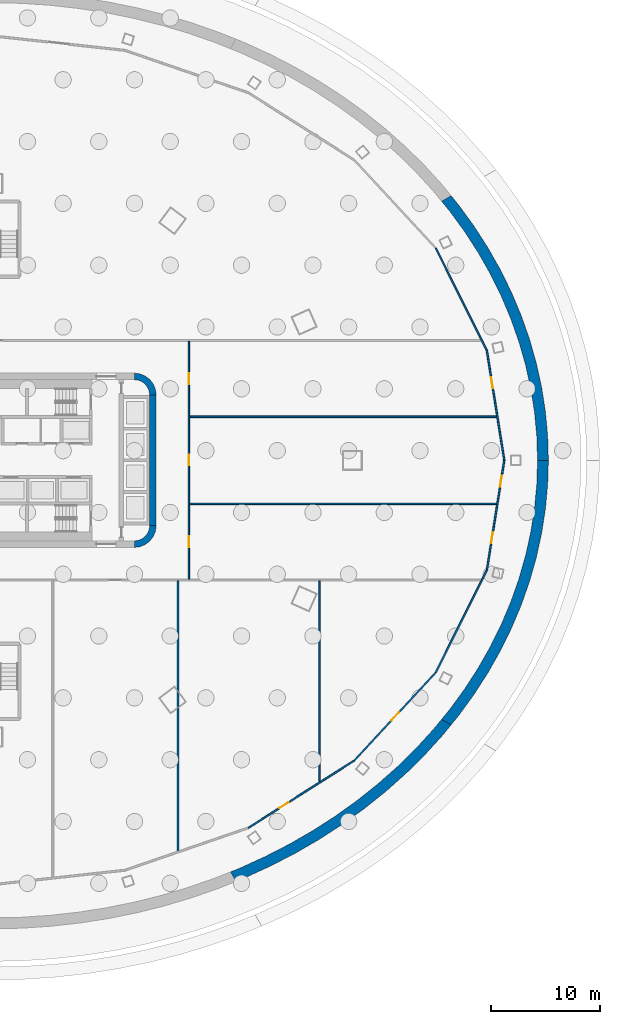
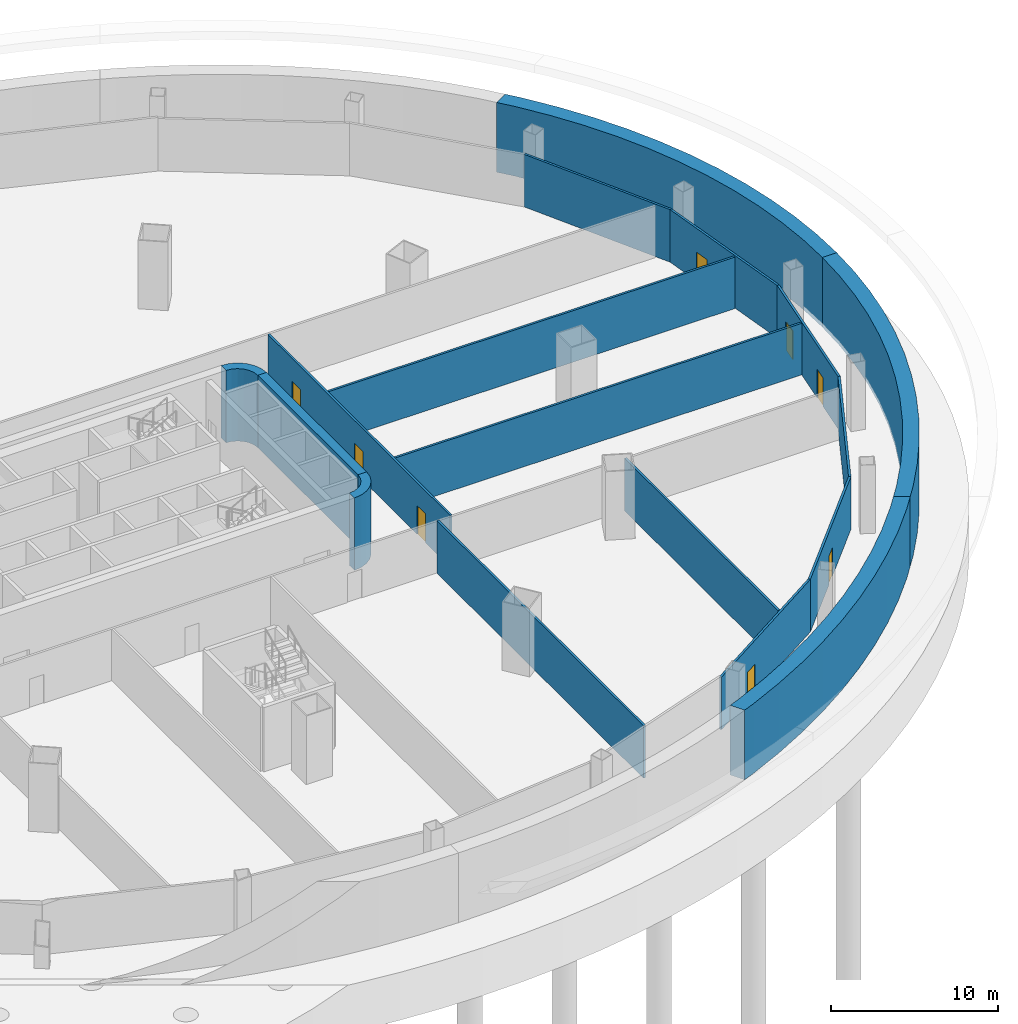
# One storey, part 10 of 19: 17 walls, 8 doors, 8 openings.
"""IFC4 building model written with IfcOpenShell, lengths in metres."""

from ifc_helpers import new_model, si_unit, direction, frame, frame_2d, origin, place, context, subcontext, project, spatial, polyline, rectangle, outline, extrude, material, layer, layer_set, type_object, element, fill, save


model = new_model("IFC4")

# Units and contexts
model_context = context("Model", 3, precision=1e-05, world=origin(), true_north=direction((0.0, 1.0)))
body_context = subcontext(model_context, "Body", "Model", "MODEL_VIEW")
ifc_project = project(units=[si_unit("LENGTHUNIT", "METRE"), si_unit("AREAUNIT", "SQUARE_METRE"), si_unit("VOLUMEUNIT", "CUBIC_METRE"), si_unit("PLANEANGLEUNIT", "RADIAN"), si_unit("MASSUNIT", "GRAM", prefix="KILO")], contexts=[model_context])

# Site, building, storey
site_placement = place(None, origin())
site = spatial("IfcSite", under=ifc_project, at=site_placement, CompositionType="ELEMENT")
building_placement = place(site_placement, origin())
building = spatial("IfcBuilding", under=site, at=building_placement, Name="Sahrelin Media Tower", CompositionType="ELEMENT")
storey_placement = place(building_placement, frame((0.0, 0.0, -5.0)))
storey = spatial("IfcBuildingStorey", under=building, at=storey_placement, Name="B1", CompositionType="ELEMENT", Elevation=-5.0)

# Walls
ifc_material_1 = material(Name="Concrete C50/60", Category="concrete")
ifc_layer_1 = layer(ifc_material_1, 1.0)
ifc_layer_set_1 = layer_set([ifc_layer_1], Name="Basement retaining wall")
wall_type_1 = type_object("IfcWallType", Name="Basement retaining wall", PredefinedType="SOLIDWALL", material=ifc_layer_set_1)
placement = place(storey_placement, frame((0.0, 0.0, -0.300048828125)))
element("IfcWall", 1, at=placement, inside=storey, type_object=wall_type_1, Name="Basement retaining wall 1", PredefinedType="SOLIDWALL", context=body_context, shape_type="SweptSolid", body=[
    extrude(outline(polyline([(42.0654296875, 24.28662109375), (41.19140625, 23.781982421875), (41.93359375, 22.874755859375), (43.30126953125, 21.0), (44.55029296875, 19.067626953125), (45.67724609375, 17.0830078125), (46.678955078125, 15.051513671875), (47.552734375, 12.978759765625), (48.29638671875, 10.870361328125), (48.907470703125, 8.732421875), (49.384521484375, 6.5703125), (49.72607421875, 4.39013671875), (49.931396484375, 2.197998046875), (50.0, 0.0), (51.0, 0.0), (50.93017578125, 2.25048828125), (50.720703125, 4.49462890625), (50.3720703125, 6.726806640625), (49.885498046875, 8.940185546875), (49.26220703125, 11.129150390625), (48.50390625, 13.28759765625), (47.612548828125, 15.409912109375), (46.5908203125, 17.48974609375), (45.44140625, 19.521484375), (44.167236328125, 21.5), (42.772216796875, 23.41943359375), (42.0654296875, 24.28662109375)])), origin(), (0.0, 0.0, 1.0), 5.10009765625),
])
element("IfcWall", 2, at=placement, inside=storey, type_object=wall_type_1, Name="Basement retaining wall 11", PredefinedType="SOLIDWALL", context=body_context, shape_type="SweptSolid", body=[
    extrude(outline(polyline([(42.0654296875, -24.28662109375), (41.19140625, -23.781982421875), (40.45068359375, -24.68701171875), (38.857421875, -26.431396484375), (37.1572265625, -28.103515625), (35.355224609375, -29.698486328125), (33.45654296875, -31.212158203125), (31.466064453125, -32.64013671875), (29.389404296875, -33.978759765625), (27.23193359375, -35.22412109375), (25.0, -36.373046875), (22.699462890625, -37.42236328125), (21.811279296875, -37.7783203125), (22.31494140625, -38.650634765625), (23.153564453125, -38.313232421875), (25.5, -37.239013671875), (27.776611328125, -36.062744140625), (29.97705078125, -34.78759765625), (32.09521484375, -33.417236328125), (34.125732421875, -31.955078125), (36.0625, -30.405517578125), (37.900390625, -28.772705078125), (39.634521484375, -27.060791015625), (41.260009765625, -25.27490234375), (42.0654296875, -24.28662109375)])), origin(), (0.0, 0.0, 1.0), 5.10009765625),
])
element("IfcWall", 3, at=placement, inside=storey, type_object=wall_type_1, Name="Basement retaining wall 12", PredefinedType="SOLIDWALL", context=body_context, shape_type="SweptSolid", body=[
    extrude(outline(polyline([(50.93017578125, -2.25048828125), (51.0, 0.0), (50.0, 0.0), (49.931396484375, -2.197998046875), (49.72607421875, -4.39013671875), (49.384521484375, -6.5703125), (48.907470703125, -8.732421875), (48.29638671875, -10.870361328125), (47.552734375, -12.978759765625), (46.678955078125, -15.051513671875), (45.67724609375, -17.0830078125), (44.55029296875, -19.067626953125), (43.30126953125, -21.0), (41.93359375, -22.874755859375), (41.19140625, -23.781982421875), (42.0654296875, -24.28662109375), (42.772216796875, -23.41943359375), (44.167236328125, -21.5), (45.44140625, -19.521484375), (46.5908203125, -17.48974609375), (47.612548828125, -15.409912109375), (48.50390625, -13.28759765625), (49.26220703125, -11.129150390625), (49.885498046875, -8.940185546875), (50.3720703125, -6.726806640625), (50.720703125, -4.49462890625), (50.93017578125, -2.25048828125)])), origin(), (0.0, 0.0, 1.0), 5.10009765625),
])
ifc_material_2 = material(Name="Concrete C60/75", Category="concrete")
ifc_layer_2 = layer(ifc_material_2, 0.60009765625)
ifc_layer_set_2 = layer_set([ifc_layer_2], Name="Core wall 600")
wall_type_2 = type_object("IfcWallType", Name="Core wall 600", PredefinedType="SHEAR", material=ifc_layer_set_2)
wall_4_placement = place(storey_placement, frame((14.699951171875, -6.0, -0.300048828125), z_axis=(0.0, 0.0, 1.0), x_axis=(0.0, 1.0, 0.0)))
element("IfcWall", 4, at=wall_4_placement, inside=storey, type_object=wall_type_2, Name="Core wall E B1", PredefinedType="SHEAR", context=body_context, shape_type="SweptSolid", body=[
    extrude(rectangle(XDim=12.0, YDim=0.60009765625, at=frame_2d((6.0, 0.0))), origin(), (0.0, 0.0, 1.0), 5.300048828125),
])
element("IfcWall", 5, at=placement, inside=storey, type_object=wall_type_2, Name="Core wall corner NE B1", PredefinedType="SHEAR", context=body_context, shape_type="SweptSolid", body=[
    extrude(outline(polyline([(13.0, 8.0), (13.0, 7.394775390625), (13.361083984375, 7.347412109375), (13.697509765625, 7.2080078125), (13.986328125, 6.986328125), (14.2080078125, 6.697509765625), (14.347412109375, 6.361083984375), (14.394775390625, 6.0), (15.0, 6.0), (14.931884765625, 6.517578125), (14.732177734375, 7.0), (14.414306640625, 7.414306640625), (14.0, 7.732177734375), (13.517578125, 7.931884765625), (13.0, 8.0)])), origin(), (0.0, 0.0, 1.0), 5.300048828125),
])
element("IfcWall", 6, at=placement, inside=storey, type_object=wall_type_2, Name="Core wall corner SE B1", PredefinedType="SHEAR", context=body_context, shape_type="SweptSolid", body=[
    extrude(outline(polyline([(15.0, -6.0), (14.394775390625, -6.0), (14.347412109375, -6.361083984375), (14.2080078125, -6.697509765625), (13.986328125, -6.986328125), (13.697509765625, -7.2080078125), (13.361083984375, -7.347412109375), (13.0, -7.394775390625), (13.0, -8.0), (13.517578125, -7.931884765625), (14.0, -7.732177734375), (14.414306640625, -7.414306640625), (14.732177734375, -7.0), (14.931884765625, -6.517578125), (15.0, -6.0)])), origin(), (0.0, 0.0, 1.0), 5.300048828125),
])

# Wall, opening, door
ifc_material_3 = material(Name="Fire-rated gypsum board partition")
ifc_layer_3 = layer(ifc_material_3, 0.14990234375)
ifc_layer_set_3 = layer_set([ifc_layer_3], Name="Fire-rated partition 150")
wall_type_3 = type_object("IfcWallType", Name="Fire-rated partition 150", PredefinedType="PARTITIONING", material=ifc_layer_set_3)
wall_7_placement = place(storey_placement, frame((46.949951171875, 0.0, 0.0), z_axis=(0.0, 0.0, 1.0), x_axis=(-0.156737547616, 0.98764028936, 0.0)))
wall_7 = element("IfcWall", 7, at=wall_7_placement, inside=storey, type_object=wall_type_3, Name="Wall", PredefinedType="PARTITIONING", context=body_context, shape_type="SweptSolid", body=[
    extrude(rectangle(XDim=10.207275390625, YDim=0.14990234375, at=frame_2d((5.103515625, 0.0))), origin(), (0.0, 0.0, 1.0), 3.84521484375),
])
opening_1_placement = place(wall_7_placement, frame((6.7041015625, 0.0, 0.0)))
opening_1 = element("IfcOpeningElement", 8, at=opening_1_placement, cuts=wall_7, Name="Opening B1-D34", PredefinedType="OPENING", context=body_context, shape_type="SweptSolid", body=[
    extrude(rectangle(XDim=1.0, YDim=2.10009765625, at=frame_2d((0.5, 1.050048828125))), frame((0.0, 0.074951171875, 0.0), z_axis=(0.0, -1.0, 0.0), x_axis=(1.0, 0.0, 0.0)), (0.0, 0.0, 1.0), 0.14990234375),
])
ifc_material_4 = material(Name="Steel fire door leaf", Category="steel")
door_type = type_object("IfcDoorType", Name="Fire door 1000 x 2100 EI 60", OperationType="NOTDEFINED", PredefinedType="DOOR", material=ifc_material_4)
door_1_placement = place(opening_1_placement, origin())
door_1 = element("IfcDoor", 9, at=door_1_placement, inside=storey, type_object=door_type, Name="Fire door", OperationType="SINGLE_SWING_RIGHT", OverallHeight=2.10009765625, OverallWidth=1.0, PredefinedType="DOOR", context=body_context, shape_type="SweptSolid", body=[
    extrude(rectangle(XDim=1.0, YDim=2.10009765625, at=frame_2d((0.5, 1.050048828125))), frame((0.0, 0.02490234375, 0.0), z_axis=(0.0, -1.0, 0.0), x_axis=(1.0, 0.0, 0.0)), (0.0, 0.0, 1.0), 0.050048828125),
])
fill(opening_1, door_1)

# Wall
wall_8_placement = place(storey_placement, frame((45.35009765625, 10.0810546875, 0.0), z_axis=(0.0, 0.0, 1.0), x_axis=(-0.446692676619, 0.894687460879, 0.0)))
element("IfcWall", 10, at=wall_8_placement, inside=storey, type_object=wall_type_3, Name="Wall", PredefinedType="PARTITIONING", context=body_context, shape_type="SweptSolid", body=[
    extrude(rectangle(XDim=10.499755859375, YDim=0.14990234375, at=frame_2d((5.25, 0.0))), origin(), (0.0, 0.0, 1.0), 3.84521484375),
])

# Wall, opening, door
wall_9_placement = place(storey_placement, frame((23.47509765625, -33.731689453125, 0.0), z_axis=(0.0, 0.0, 1.0), x_axis=(0.84357600759, 0.537009794527, 0.0)))
wall_9 = element("IfcWall", 11, at=wall_9_placement, inside=storey, type_object=wall_type_3, Name="Wall", PredefinedType="PARTITIONING", context=body_context, shape_type="SweptSolid", body=[
    extrude(rectangle(XDim=11.526611328125, YDim=0.14990234375, at=frame_2d((5.76318359375, 0.0))), origin(), (0.0, 0.0, 1.0), 3.84521484375),
])
opening_2_placement = place(wall_9_placement, frame((3.35009765625, 0.0, 0.0)))
opening_2 = element("IfcOpeningElement", 12, at=opening_2_placement, cuts=wall_9, Name="Opening B1-D27", PredefinedType="OPENING", context=body_context, shape_type="SweptSolid", body=[
    extrude(rectangle(XDim=1.0, YDim=2.10009765625, at=frame_2d((0.5, 1.050048828125))), frame((0.0, 0.074951171875, 0.0), z_axis=(0.0, -1.0, 0.0), x_axis=(1.0, 0.0, 0.0)), (0.0, 0.0, 1.0), 0.14990234375),
])
door_2_placement = place(opening_2_placement, origin())
door_2 = element("IfcDoor", 13, at=door_2_placement, inside=storey, type_object=door_type, Name="Fire door", OperationType="SINGLE_SWING_LEFT", OverallHeight=2.10009765625, OverallWidth=1.0, PredefinedType="DOOR", context=body_context, shape_type="SweptSolid", body=[
    extrude(rectangle(XDim=1.0, YDim=2.10009765625, at=frame_2d((0.5, 1.050048828125))), frame((0.0, 0.02490234375, 0.0), z_axis=(0.0, -1.0, 0.0), x_axis=(1.0, 0.0, 0.0)), (0.0, 0.0, 1.0), 0.050048828125),
])
fill(opening_2, door_2)

wall_10_placement = place(storey_placement, frame((33.19873046875, -27.541748046875, 0.0), z_axis=(0.0, 0.0, 1.0), x_axis=(0.679018932137, 0.734120759685, 0.0)))
wall_10 = element("IfcWall", 14, at=wall_10_placement, inside=storey, type_object=wall_type_3, Name="Wall", PredefinedType="PARTITIONING", context=body_context, shape_type="SweptSolid", body=[
    extrude(rectangle(XDim=10.98828125, YDim=0.14990234375, at=frame_2d((5.494140625, 0.0))), origin(), (0.0, 0.0, 1.0), 3.84521484375),
])
opening_3_placement = place(wall_10_placement, frame((4.993896484375, 0.0, 0.0)))
opening_3 = element("IfcOpeningElement", 15, at=opening_3_placement, cuts=wall_10, Name="Opening B1-D28", PredefinedType="OPENING", context=body_context, shape_type="SweptSolid", body=[
    extrude(rectangle(XDim=1.0, YDim=2.10009765625, at=frame_2d((0.5, 1.050048828125))), frame((0.0, 0.074951171875, 0.0), z_axis=(0.0, -1.0, 0.0), x_axis=(1.0, 0.0, 0.0)), (0.0, 0.0, 1.0), 0.14990234375),
])
door_3_placement = place(opening_3_placement, origin())
door_3 = element("IfcDoor", 16, at=door_3_placement, inside=storey, type_object=door_type, Name="Fire door", OperationType="SINGLE_SWING_LEFT", OverallHeight=2.10009765625, OverallWidth=1.0, PredefinedType="DOOR", context=body_context, shape_type="SweptSolid", body=[
    extrude(rectangle(XDim=1.0, YDim=2.10009765625, at=frame_2d((0.5, 1.050048828125))), frame((0.0, 0.02490234375, 0.0), z_axis=(0.0, -1.0, 0.0), x_axis=(1.0, 0.0, 0.0)), (0.0, 0.0, 1.0), 0.050048828125),
])
fill(opening_3, door_3)

# Wall
wall_11_placement = place(storey_placement, frame((40.659912109375, -19.47509765625, 0.0), z_axis=(0.0, 0.0, 1.0), x_axis=(0.446692676619, 0.894687460879, 0.0)))
element("IfcWall", 17, at=wall_11_placement, inside=storey, type_object=wall_type_3, Name="Wall", PredefinedType="PARTITIONING", context=body_context, shape_type="SweptSolid", body=[
    extrude(rectangle(XDim=10.499755859375, YDim=0.14990234375, at=frame_2d((5.25, 0.0))), origin(), (0.0, 0.0, 1.0), 3.84521484375),
])

# Wall, openings, doors
wall_12_placement = place(storey_placement, frame((45.35009765625, -10.0810546875, 0.0), z_axis=(0.0, 0.0, 1.0), x_axis=(0.156737547616, 0.98764028936, 0.0)))
wall_12 = element("IfcWall", 18, at=wall_12_placement, inside=storey, type_object=wall_type_3, Name="Wall", PredefinedType="PARTITIONING", context=body_context, shape_type="SweptSolid", body=[
    extrude(rectangle(XDim=10.207275390625, YDim=0.14990234375, at=frame_2d((5.103515625, 0.0))), origin(), (0.0, 0.0, 1.0), 3.84521484375),
])
opening_4_placement = place(wall_12_placement, frame((2.5, 0.0, 0.0)))
opening_4 = element("IfcOpeningElement", 19, at=opening_4_placement, cuts=wall_12, Name="Opening B1-D30", PredefinedType="OPENING", context=body_context, shape_type="SweptSolid", body=[
    extrude(rectangle(XDim=1.0, YDim=2.10009765625, at=frame_2d((0.5, 1.050048828125))), frame((0.0, 0.074951171875, 0.0), z_axis=(0.0, -1.0, 0.0), x_axis=(1.0, 0.0, 0.0)), (0.0, 0.0, 1.0), 0.14990234375),
])
opening_5_placement = place(wall_12_placement, frame((7.75390625, 0.0, 0.0)))
opening_5 = element("IfcOpeningElement", 20, at=opening_5_placement, cuts=wall_12, Name="Opening B1-D32", PredefinedType="OPENING", context=body_context, shape_type="SweptSolid", body=[
    extrude(rectangle(XDim=1.0, YDim=2.10009765625, at=frame_2d((0.5, 1.050048828125))), frame((0.0, 0.074951171875, 0.0), z_axis=(0.0, -1.0, 0.0), x_axis=(1.0, 0.0, 0.0)), (0.0, 0.0, 1.0), 0.14990234375),
])
door_4_placement = place(opening_4_placement, origin())
door_4 = element("IfcDoor", 21, at=door_4_placement, inside=storey, type_object=door_type, Name="Fire door", OperationType="SINGLE_SWING_LEFT", OverallHeight=2.10009765625, OverallWidth=1.0, PredefinedType="DOOR", context=body_context, shape_type="SweptSolid", body=[
    extrude(rectangle(XDim=1.0, YDim=2.10009765625, at=frame_2d((0.5, 1.050048828125))), frame((0.0, 0.02490234375, 0.0), z_axis=(0.0, -1.0, 0.0), x_axis=(1.0, 0.0, 0.0)), (0.0, 0.0, 1.0), 0.050048828125),
])
fill(opening_4, door_4)
door_5_placement = place(opening_5_placement, origin())
door_5 = element("IfcDoor", 22, at=door_5_placement, inside=storey, type_object=door_type, Name="Fire door", OperationType="SINGLE_SWING_RIGHT", OverallHeight=2.10009765625, OverallWidth=1.0, PredefinedType="DOOR", context=body_context, shape_type="SweptSolid", body=[
    extrude(rectangle(XDim=1.0, YDim=2.10009765625, at=frame_2d((0.5, 1.050048828125))), frame((0.0, 0.02490234375, 0.0), z_axis=(0.0, -1.0, 0.0), x_axis=(1.0, 0.0, 0.0)), (0.0, 0.0, 1.0), 0.050048828125),
])
fill(opening_5, door_5)

wall_13_placement = place(storey_placement, frame((18.0, -10.925048828125, 0.0), z_axis=(0.0, 0.0, 1.0), x_axis=(0.0, 1.0, 0.0)))
wall_13 = element("IfcWall", 23, at=wall_13_placement, inside=storey, type_object=wall_type_3, Name="Wall", PredefinedType="PARTITIONING", context=body_context, shape_type="SweptSolid", body=[
    extrude(rectangle(XDim=21.85009765625, YDim=0.14990234375, at=frame_2d((10.925048828125, 0.0))), origin(), (0.0, 0.0, 1.0), 3.777099609375),
])
opening_6_placement = place(wall_13_placement, frame((2.949951171875, 0.0, 0.0)))
opening_6 = element("IfcOpeningElement", 24, at=opening_6_placement, cuts=wall_13, Name="Opening B1-D29", PredefinedType="OPENING", context=body_context, shape_type="SweptSolid", body=[
    extrude(rectangle(XDim=1.0, YDim=2.10009765625, at=frame_2d((0.5, 1.050048828125))), frame((0.0, 0.074951171875, 0.0), z_axis=(0.0, -1.0, 0.0), x_axis=(1.0, 0.0, 0.0)), (0.0, 0.0, 1.0), 0.14990234375),
])
opening_7_placement = place(wall_13_placement, frame((10.449951171875, 0.0, 0.0)))
opening_7 = element("IfcOpeningElement", 25, at=opening_7_placement, cuts=wall_13, Name="Opening B1-D31", PredefinedType="OPENING", context=body_context, shape_type="SweptSolid", body=[
    extrude(rectangle(XDim=1.0, YDim=2.10009765625, at=frame_2d((0.5, 1.050048828125))), frame((0.0, 0.074951171875, 0.0), z_axis=(0.0, -1.0, 0.0), x_axis=(1.0, 0.0, 0.0)), (0.0, 0.0, 1.0), 0.14990234375),
])
opening_8_placement = place(wall_13_placement, frame((17.925048828125, 0.0, 0.0)))
opening_8 = element("IfcOpeningElement", 26, at=opening_8_placement, cuts=wall_13, Name="Opening B1-D33", PredefinedType="OPENING", context=body_context, shape_type="SweptSolid", body=[
    extrude(rectangle(XDim=1.0, YDim=2.10009765625, at=frame_2d((0.5, 1.050048828125))), frame((0.0, 0.074951171875, 0.0), z_axis=(0.0, -1.0, 0.0), x_axis=(1.0, 0.0, 0.0)), (0.0, 0.0, 1.0), 0.14990234375),
])
door_6_placement = place(opening_6_placement, origin())
door_6 = element("IfcDoor", 27, at=door_6_placement, inside=storey, type_object=door_type, Name="Fire door", OperationType="SINGLE_SWING_LEFT", OverallHeight=2.10009765625, OverallWidth=1.0, PredefinedType="DOOR", context=body_context, shape_type="SweptSolid", body=[
    extrude(rectangle(XDim=1.0, YDim=2.10009765625, at=frame_2d((0.5, 1.050048828125))), frame((0.0, 0.02490234375, 0.0), z_axis=(0.0, -1.0, 0.0), x_axis=(1.0, 0.0, 0.0)), (0.0, 0.0, 1.0), 0.050048828125),
])
fill(opening_6, door_6)
door_7_placement = place(opening_7_placement, origin())
door_7 = element("IfcDoor", 28, at=door_7_placement, inside=storey, type_object=door_type, Name="Fire door", OperationType="SINGLE_SWING_RIGHT", OverallHeight=2.10009765625, OverallWidth=1.0, PredefinedType="DOOR", context=body_context, shape_type="SweptSolid", body=[
    extrude(rectangle(XDim=1.0, YDim=2.10009765625, at=frame_2d((0.5, 1.050048828125))), frame((0.0, 0.02490234375, 0.0), z_axis=(0.0, -1.0, 0.0), x_axis=(1.0, 0.0, 0.0)), (0.0, 0.0, 1.0), 0.050048828125),
])
fill(opening_7, door_7)
door_8_placement = place(opening_8_placement, origin())
door_8 = element("IfcDoor", 29, at=door_8_placement, inside=storey, type_object=door_type, Name="Fire door", OperationType="SINGLE_SWING_RIGHT", OverallHeight=2.10009765625, OverallWidth=1.0, PredefinedType="DOOR", context=body_context, shape_type="SweptSolid", body=[
    extrude(rectangle(XDim=1.0, YDim=2.10009765625, at=frame_2d((0.5, 1.050048828125))), frame((0.0, 0.02490234375, 0.0), z_axis=(0.0, -1.0, 0.0), x_axis=(1.0, 0.0, 0.0)), (0.0, 0.0, 1.0), 0.050048828125),
])
fill(opening_8, door_8)

# Walls
wall_14_placement = place(storey_placement, frame((17.0, -11.074951171875, 0.0), z_axis=(0.0, 0.0, 1.0), x_axis=(0.0, -1.0, 0.0)))
element("IfcWall", 30, at=wall_14_placement, inside=storey, type_object=wall_type_3, Name="Wall", PredefinedType="PARTITIONING", context=body_context, shape_type="SweptSolid", body=[
    extrude(rectangle(XDim=24.776611328125, YDim=0.14990234375, at=frame_2d((12.38818359375, 0.0))), origin(), (0.0, 0.0, 1.0), 3.84521484375),
])
wall_15_placement = place(storey_placement, frame((30.0, -11.074951171875, 0.0), z_axis=(0.0, 0.0, 1.0), x_axis=(0.0, -1.0, 0.0)))
element("IfcWall", 31, at=wall_15_placement, inside=storey, type_object=wall_type_3, Name="Wall", PredefinedType="PARTITIONING", context=body_context, shape_type="SweptSolid", body=[
    extrude(rectangle(XDim=18.366455078125, YDim=0.14990234375, at=frame_2d((9.18310546875, 0.0))), origin(), (0.0, 0.0, 1.0), 3.84521484375),
])
for number, where, z_axis, x_axis, name in (
    (32, (18.074951171875, -4.0, 0.0), (0.0, 0.0, 1.0), (1.0, 0.0, 0.0), "Wall"),
    (33, (18.074951171875, 4.0, 0.0), (0.0, 0.0, 1.0), (1.0, 0.0, 0.0), "Wall"),
):
    element("IfcWall", number, at=place(storey_placement, frame(where, z_axis=z_axis, x_axis=x_axis)), inside=storey, type_object=wall_type_3, Name=name, PredefinedType="PARTITIONING", context=body_context, shape_type="SweptSolid", body=[
        extrude(rectangle(XDim=28.15234375, YDim=0.14990234375, at=frame_2d((14.076171875, 0.0))), origin(), (0.0, 0.0, 1.0), 3.768310546875),
    ])

save(model, "model.ifc")
